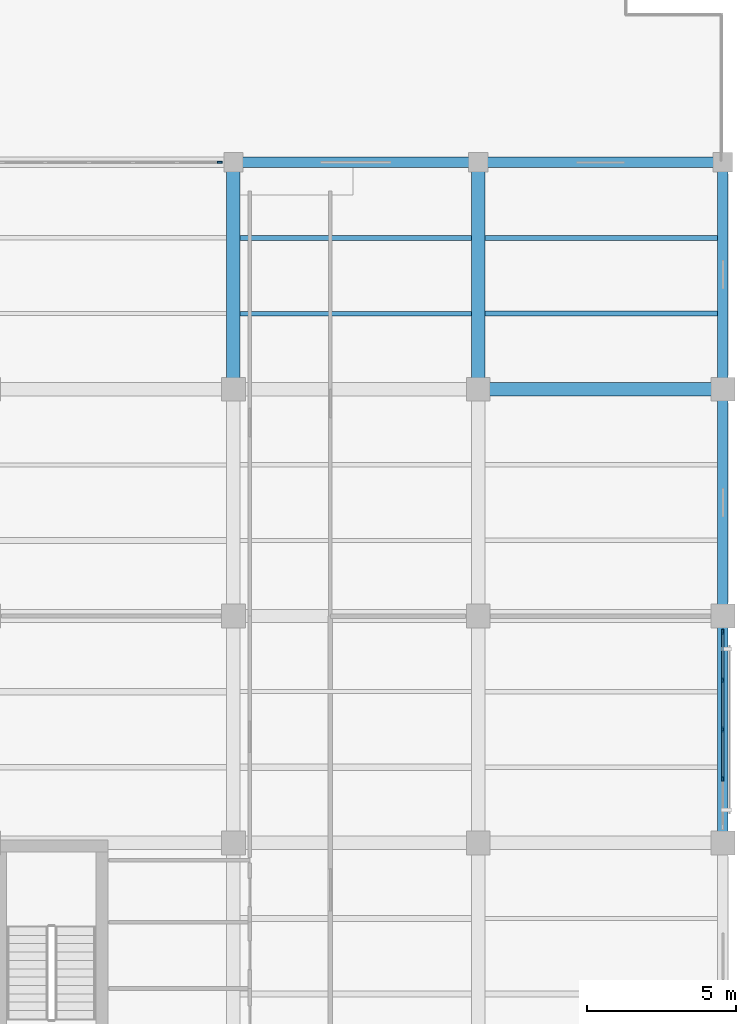
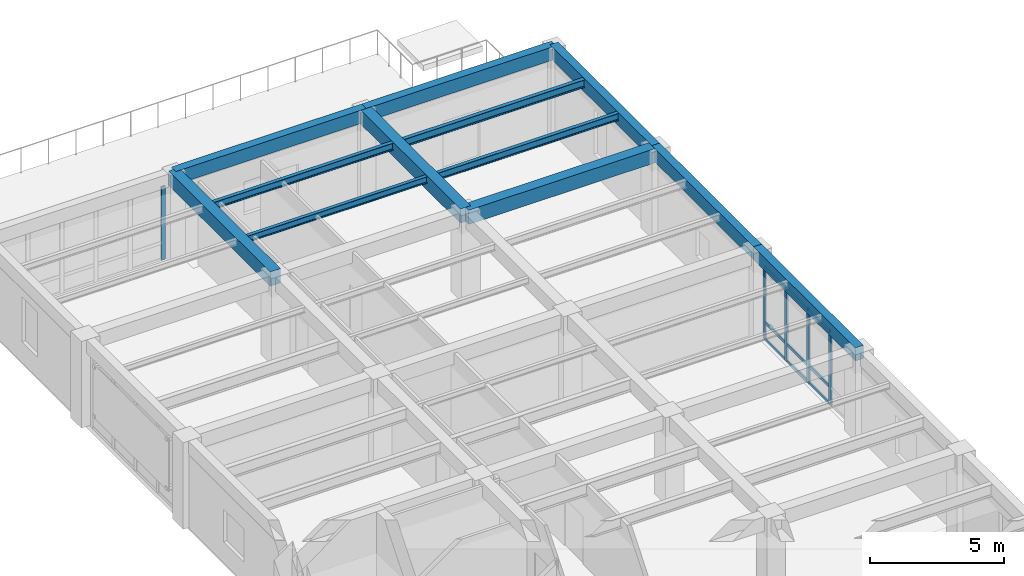
# One storey, part 5 of 14: 14 members, 12 beams, 2 elements without a shape of their own.
"""IFC4 building model written with IfcOpenShell, lengths in metres."""

from ifc_helpers import new_model, si_unit, direction, frame, origin, origin_2d, place, context, subcontext, project, spatial, rectangle, i_section, extrude, material, material_profile, profile_set, type_object, element, aggregate, save


model = new_model("IFC4")

# Units and contexts
model_context = context("Model", 3, precision=1e-05, world=origin(), true_north=direction((0.0, 1.0)))
body_context = subcontext(model_context, "Body", "Model", "MODEL_VIEW")
ifc_project = project(units=[si_unit("LENGTHUNIT", "METRE"), si_unit("AREAUNIT", "SQUARE_METRE"), si_unit("VOLUMEUNIT", "CUBIC_METRE"), si_unit("PLANEANGLEUNIT", "RADIAN"), si_unit("MASSUNIT", "GRAM", prefix="KILO")], contexts=[model_context])

# Site, building, storey
site_placement = place(None, origin())
site = spatial("IfcSite", under=ifc_project, at=site_placement, CompositionType="ELEMENT")
building_placement = place(site_placement, origin())
building = spatial("IfcBuilding", under=site, at=building_placement, Name="Qandaris Square Conservatory and Botanical Centre", CompositionType="ELEMENT")
storey_placement = place(building_placement, frame((0.0, 0.0, 36.60009765625)))
storey = spatial("IfcBuildingStorey", under=building, at=storey_placement, Name="L08", CompositionType="ELEMENT", Elevation=36.60009765625)

# Beams
ifc_material_1 = material(Name="Steel S355", Category="steel")
ifc_material_profile_1 = material_profile(ifc_material_1, i_section(OverallWidth=0.14990234375, OverallDepth=0.300048828125, WebThickness=0.007080078125, FlangeThickness=0.0107421875, FilletRadius=0.014892578125, at=origin_2d()), Name="IPE 300")
ifc_profile_set_1 = profile_set([ifc_material_profile_1], Name="Steel S355")
beam_type_1 = type_object("IfcBeamType", Name="Composite Lab Joist IPE 300", PredefinedType="JOIST", material=ifc_profile_set_1)
beam_1_placement = place(storey_placement, frame((147.625, 64.7333984375, 3.789794921875), z_axis=(1.0, 0.0, 0.0), x_axis=(0.0, 1.0, 0.0)))
element("IfcBeam", 1, at=beam_1_placement, inside=storey, type_object=beam_type_1, Name="L08 Composite Joist 2305", PredefinedType="JOIST", context=body_context, shape_type="SweptSolid", body=[
    extrude(i_section(OverallWidth=0.14990234375, OverallDepth=0.300048828125, WebThickness=0.007080078125, FlangeThickness=0.0107421875, FilletRadius=0.014892578125, at=origin_2d()), origin(), (0.0, 0.0, 1.0), 7.75),
])
ifc_material_profile_2 = material_profile(ifc_material_1, i_section(OverallWidth=0.159912109375, OverallDepth=0.330078125, WebThickness=0.007568359375, FlangeThickness=0.011474609375, FilletRadius=0.01806640625, at=origin_2d()), Name="IPE 330")
ifc_profile_set_2 = profile_set([ifc_material_profile_2], Name="Steel S355")
beam_type_2 = type_object("IfcBeamType", Name="Composite Lab Joist IPE 330", PredefinedType="JOIST", material=ifc_profile_set_2)
beam_2_placement = place(storey_placement, frame((147.625, 67.2666015625, 3.77490234375), z_axis=(1.0, 0.0, 0.0), x_axis=(0.0, 1.0, 0.0)))
element("IfcBeam", 2, at=beam_2_placement, inside=storey, type_object=beam_type_2, Name="L08 Composite Joist 2306", PredefinedType="JOIST", context=body_context, shape_type="SweptSolid", body=[
    extrude(i_section(OverallWidth=0.159912109375, OverallDepth=0.330078125, WebThickness=0.007568359375, FlangeThickness=0.011474609375, FilletRadius=0.01806640625, at=origin_2d()), origin(), (0.0, 0.0, 1.0), 7.75),
])
beam_3_placement = place(storey_placement, frame((155.824951171875, 64.7333984375, 3.77490234375), z_axis=(1.0, 0.0, 0.0), x_axis=(0.0, 1.0, 0.0)))
element("IfcBeam", 3, at=beam_3_placement, inside=storey, type_object=beam_type_2, Name="L08 Composite Joist 2319", PredefinedType="JOIST", context=body_context, shape_type="SweptSolid", body=[
    extrude(i_section(OverallWidth=0.159912109375, OverallDepth=0.330078125, WebThickness=0.007568359375, FlangeThickness=0.011474609375, FilletRadius=0.01806640625, at=origin_2d()), origin(), (0.0, 0.0, 1.0), 7.800048828125),
])
ifc_material_profile_3 = material_profile(ifc_material_1, i_section(OverallWidth=0.169921875, OverallDepth=0.360107421875, WebThickness=0.008056640625, FlangeThickness=0.0126953125, FilletRadius=0.01806640625, at=origin_2d()), Name="IPE 360")
ifc_profile_set_3 = profile_set([ifc_material_profile_3], Name="Steel S355")
beam_type_3 = type_object("IfcBeamType", Name="Composite Lab Joist IPE 360", PredefinedType="JOIST", material=ifc_profile_set_3)
beam_4_placement = place(storey_placement, frame((155.824951171875, 67.2666015625, 3.760009765625), z_axis=(1.0, 0.0, 0.0), x_axis=(0.0, 1.0, 0.0)))
element("IfcBeam", 4, at=beam_4_placement, inside=storey, type_object=beam_type_3, Name="L08 Composite Joist 2320", PredefinedType="JOIST", context=body_context, shape_type="SweptSolid", body=[
    extrude(i_section(OverallWidth=0.169921875, OverallDepth=0.360107421875, WebThickness=0.008056640625, FlangeThickness=0.0126953125, FilletRadius=0.01806640625, at=origin_2d()), origin(), (0.0, 0.0, 1.0), 7.800048828125),
])

# Curtain wall, members
ifc_material_2 = material(Name="Anodised Aluminium", Category="aluminium")
curtain_wall_type_1 = type_object("IfcCurtainWallType", Name="Unitised Curtain Wall CW-4-660x335", PredefinedType="USERDEFINED", material=ifc_material_2)
curtain_wall_1_placement = place(storey_placement, origin())
curtain_wall_1 = element("IfcCurtainWall", 5, at=curtain_wall_1_placement, inside=storey, type_object=curtain_wall_type_1, Name="Curtain Wall CW-TWR-L08-2-5", ObjectType="GLAZED CURTAIN WALL", PredefinedType="USERDEFINED")
ifc_material_profile_4 = material_profile(ifc_material_2, rectangle(XDim=0.06494140625, YDim=0.179931640625, at=origin_2d()), Name="ALU-MUL 65x180")
ifc_profile_set_4 = profile_set([ifc_material_profile_4], Name="Anodised Aluminium")
member_type_1 = type_object("IfcMemberType", Name="Curtain Wall Mullion 65x180", PredefinedType="MULLION", material=ifc_profile_set_4)
member_1_placement = place(storey_placement, frame((163.800048828125, 49.14990234375, 0.0), z_axis=(0.0, 0.0, 1.0), x_axis=(-1.0, 0.0, 0.0)))
member_1 = element("IfcMember", 6, at=member_1_placement, type_object=member_type_1, Name="CW-4-660x335 mullion 2", PredefinedType="MULLION", context=body_context, shape_type="SweptSolid", body=[
    extrude(rectangle(XDim=0.06494140625, YDim=0.179931640625, at=origin_2d()), origin(), (0.0, 0.0, 1.0), 3.349853515625),
])
member_2_placement = place(storey_placement, frame((163.800048828125, 50.800048828125, 0.0), z_axis=(0.0, 0.0, 1.0), x_axis=(-1.0, 0.0, 0.0)))
member_2 = element("IfcMember", 7, at=member_2_placement, type_object=member_type_1, Name="CW-4-660x335 mullion 3", PredefinedType="MULLION", context=body_context, shape_type="SweptSolid", body=[
    extrude(rectangle(XDim=0.06494140625, YDim=0.179931640625, at=origin_2d()), origin(), (0.0, 0.0, 1.0), 3.349853515625),
])
member_3_placement = place(storey_placement, frame((163.800048828125, 52.449951171875, 0.0), z_axis=(0.0, 0.0, 1.0), x_axis=(-1.0, 0.0, 0.0)))
member_3 = element("IfcMember", 8, at=member_3_placement, type_object=member_type_1, Name="CW-4-660x335 mullion 4", PredefinedType="MULLION", context=body_context, shape_type="SweptSolid", body=[
    extrude(rectangle(XDim=0.06494140625, YDim=0.179931640625, at=origin_2d()), origin(), (0.0, 0.0, 1.0), 3.349853515625),
])
member_4_placement = place(storey_placement, frame((163.800048828125, 54.0673828125, 0.0), z_axis=(0.0, 0.0, 1.0), x_axis=(-1.0, 0.0, 0.0)))
member_4 = element("IfcMember", 9, at=member_4_placement, type_object=member_type_1, Name="CW-4-660x335 mullion 5", PredefinedType="MULLION", context=body_context, shape_type="SweptSolid", body=[
    extrude(rectangle(XDim=0.06494140625, YDim=0.179931640625, at=origin_2d()), origin(), (0.0, 0.0, 1.0), 3.349853515625),
])

# Curtain wall, member
curtain_wall_type_2 = type_object("IfcCurtainWallType", Name="Unitised Curtain Wall CW-3-735x335", PredefinedType="USERDEFINED", material=ifc_material_2)
curtain_wall_2_placement = place(storey_placement, origin())
curtain_wall_2 = element("IfcCurtainWall", 10, at=curtain_wall_2_placement, inside=storey, type_object=curtain_wall_type_2, Name="Curtain Wall CW-TWR-L08-3-3", ObjectType="GLAZED CURTAIN WALL", PredefinedType="USERDEFINED")
member_5_placement = place(storey_placement, frame((146.9423828125, 69.800048828125, 0.0), z_axis=(0.0, 0.0, 1.0), x_axis=(0.0, -1.0, 0.0)))
member_5 = element("IfcMember", 11, at=member_5_placement, type_object=member_type_1, Name="CW-3-735x335 mullion 1", PredefinedType="MULLION", context=body_context, shape_type="SweptSolid", body=[
    extrude(rectangle(XDim=0.06494140625, YDim=0.179931640625, at=origin_2d()), origin(), (0.0, 0.0, 1.0), 3.349853515625),
])
aggregate(curtain_wall_2, [member_5])

# Member
ifc_material_profile_5 = material_profile(ifc_material_2, rectangle(XDim=0.06494140625, YDim=0.139892578125, at=origin_2d()), Name="ALU-TRN 65x140")
ifc_profile_set_5 = profile_set([ifc_material_profile_5], Name="Anodised Aluminium")
member_type_2 = type_object("IfcMemberType", Name="Curtain Wall Transom 65x140", PredefinedType="USERDEFINED", material=ifc_profile_set_5)
member_6_placement = place(storey_placement, frame((163.800048828125, 49.1826171875, 0.032470703125), z_axis=(0.0, 1.0, 0.0), x_axis=(-1.0, 0.0, 0.0)))
member_6 = element("IfcMember", 12, at=member_6_placement, type_object=member_type_2, Name="CW-4-660x335 transom 2.1", ObjectType="TRANSOM", PredefinedType="USERDEFINED", context=body_context, shape_type="SweptSolid", body=[
    extrude(rectangle(XDim=0.06494140625, YDim=0.139892578125, at=origin_2d()), origin(), (0.0, 0.0, 1.0), 1.5849609375),
])

member_7_placement = place(storey_placement, frame((163.800048828125, 49.1826171875, 0.803955078125), z_axis=(0.0, 1.0, 0.0), x_axis=(-1.0, 0.0, 0.0)))
member_7 = element("IfcMember", 13, at=member_7_placement, type_object=member_type_2, Name="CW-4-660x335 transom 2.2", ObjectType="TRANSOM", PredefinedType="USERDEFINED", context=body_context, shape_type="SweptSolid", body=[
    extrude(rectangle(XDim=0.06494140625, YDim=0.139892578125, at=origin_2d()), origin(), (0.0, 0.0, 1.0), 1.5849609375),
])

member_8_placement = place(storey_placement, frame((163.800048828125, 49.1826171875, 3.3173828125), z_axis=(0.0, 1.0, 0.0), x_axis=(-1.0, 0.0, 0.0)))
member_8 = element("IfcMember", 14, at=member_8_placement, type_object=member_type_2, Name="CW-4-660x335 transom 2.3", ObjectType="TRANSOM", PredefinedType="USERDEFINED", context=body_context, shape_type="SweptSolid", body=[
    extrude(rectangle(XDim=0.06494140625, YDim=0.139892578125, at=origin_2d()), origin(), (0.0, 0.0, 1.0), 1.5849609375),
])

member_9_placement = place(storey_placement, frame((163.800048828125, 50.83251953125, 0.032470703125), z_axis=(0.0, 1.0, 0.0), x_axis=(-1.0, 0.0, 0.0)))
member_9 = element("IfcMember", 15, at=member_9_placement, type_object=member_type_2, Name="CW-4-660x335 transom 3.1", ObjectType="TRANSOM", PredefinedType="USERDEFINED", context=body_context, shape_type="SweptSolid", body=[
    extrude(rectangle(XDim=0.06494140625, YDim=0.139892578125, at=origin_2d()), origin(), (0.0, 0.0, 1.0), 1.5849609375),
])

member_10_placement = place(storey_placement, frame((163.800048828125, 50.83251953125, 0.803955078125), z_axis=(0.0, 1.0, 0.0), x_axis=(-1.0, 0.0, 0.0)))
member_10 = element("IfcMember", 16, at=member_10_placement, type_object=member_type_2, Name="CW-4-660x335 transom 3.2", ObjectType="TRANSOM", PredefinedType="USERDEFINED", context=body_context, shape_type="SweptSolid", body=[
    extrude(rectangle(XDim=0.06494140625, YDim=0.139892578125, at=origin_2d()), origin(), (0.0, 0.0, 1.0), 1.5849609375),
])

member_11_placement = place(storey_placement, frame((163.800048828125, 50.83251953125, 3.3173828125), z_axis=(0.0, 1.0, 0.0), x_axis=(-1.0, 0.0, 0.0)))
member_11 = element("IfcMember", 17, at=member_11_placement, type_object=member_type_2, Name="CW-4-660x335 transom 3.3", ObjectType="TRANSOM", PredefinedType="USERDEFINED", context=body_context, shape_type="SweptSolid", body=[
    extrude(rectangle(XDim=0.06494140625, YDim=0.139892578125, at=origin_2d()), origin(), (0.0, 0.0, 1.0), 1.5849609375),
])

member_12_placement = place(storey_placement, frame((163.800048828125, 52.482421875, 0.032470703125), z_axis=(0.0, 1.0, 0.0), x_axis=(-1.0, 0.0, 0.0)))
member_12 = element("IfcMember", 18, at=member_12_placement, type_object=member_type_2, Name="CW-4-660x335 transom 4.1", ObjectType="TRANSOM", PredefinedType="USERDEFINED", context=body_context, shape_type="SweptSolid", body=[
    extrude(rectangle(XDim=0.06494140625, YDim=0.139892578125, at=origin_2d()), origin(), (0.0, 0.0, 1.0), 1.552490234375),
])

member_13_placement = place(storey_placement, frame((163.800048828125, 52.482421875, 0.803955078125), z_axis=(0.0, 1.0, 0.0), x_axis=(-1.0, 0.0, 0.0)))
member_13 = element("IfcMember", 19, at=member_13_placement, type_object=member_type_2, Name="CW-4-660x335 transom 4.2", ObjectType="TRANSOM", PredefinedType="USERDEFINED", context=body_context, shape_type="SweptSolid", body=[
    extrude(rectangle(XDim=0.06494140625, YDim=0.139892578125, at=origin_2d()), origin(), (0.0, 0.0, 1.0), 1.552490234375),
])

member_14_placement = place(storey_placement, frame((163.800048828125, 52.482421875, 3.3173828125), z_axis=(0.0, 1.0, 0.0), x_axis=(-1.0, 0.0, 0.0)))
member_14 = element("IfcMember", 20, at=member_14_placement, type_object=member_type_2, Name="CW-4-660x335 transom 4.3", ObjectType="TRANSOM", PredefinedType="USERDEFINED", context=body_context, shape_type="SweptSolid", body=[
    extrude(rectangle(XDim=0.06494140625, YDim=0.139892578125, at=origin_2d()), origin(), (0.0, 0.0, 1.0), 1.552490234375),
])

aggregate(curtain_wall_1, [member_1, member_2, member_3, member_4, member_6, member_7, member_8, member_9, member_10, member_11, member_12, member_13, member_14])

# Beams
ifc_material_3 = material(Name="Concrete C50/60", Category="concrete")
ifc_material_profile_6 = material_profile(ifc_material_3, rectangle(XDim=0.35009765625, YDim=0.60009765625, at=origin_2d()), Name="RC-SP 350x600")
ifc_profile_set_6 = profile_set([ifc_material_profile_6], Name="Concrete C50/60")
beam_type_4 = type_object("IfcBeamType", Name="RC Edge Spandrel Beam 350x600", PredefinedType="SPANDREL", material=ifc_profile_set_6)
beam_5_placement = place(storey_placement, frame((147.39990234375, 69.800048828125, 3.64990234375), z_axis=(1.0, 0.0, 0.0), x_axis=(0.0, 1.0, 0.0)))
element("IfcBeam", 21, at=beam_5_placement, inside=storey, type_object=beam_type_4, Name="L08 Frame Beam 2239", PredefinedType="SPANDREL", context=body_context, shape_type="SweptSolid", body=[
    extrude(rectangle(XDim=0.35009765625, YDim=0.60009765625, at=origin_2d()), origin(), (0.0, 0.0, 1.0), 8.2001953125),
])
beam_6_placement = place(storey_placement, frame((155.60009765625, 69.800048828125, 3.64990234375), z_axis=(1.0, 0.0, 0.0), x_axis=(0.0, 1.0, 0.0)))
element("IfcBeam", 22, at=beam_6_placement, inside=storey, type_object=beam_type_4, Name="L08 Frame Beam 2240", PredefinedType="SPANDREL", context=body_context, shape_type="SweptSolid", body=[
    extrude(rectangle(XDim=0.35009765625, YDim=0.60009765625, at=origin_2d()), origin(), (0.0, 0.0, 1.0), 8.199951171875),
])
beam_7_placement = place(storey_placement, frame((163.800048828125, 47.0, 3.64990234375), z_axis=(0.0, 1.0, 0.0), x_axis=(-1.0, 0.0, 0.0)))
element("IfcBeam", 23, at=beam_7_placement, inside=storey, type_object=beam_type_4, Name="L08 Frame Beam 2272", PredefinedType="SPANDREL", context=body_context, shape_type="SweptSolid", body=[
    extrude(rectangle(XDim=0.35009765625, YDim=0.60009765625, at=origin_2d()), origin(), (0.0, 0.0, 1.0), 7.60009765625),
])
beam_8_placement = place(storey_placement, frame((163.800048828125, 54.60009765625, 3.64990234375), z_axis=(0.0, 1.0, 0.0), x_axis=(-1.0, 0.0, 0.0)))
element("IfcBeam", 24, at=beam_8_placement, inside=storey, type_object=beam_type_4, Name="L08 Frame Beam 2273", PredefinedType="SPANDREL", context=body_context, shape_type="SweptSolid", body=[
    extrude(rectangle(XDim=0.35009765625, YDim=0.60009765625, at=origin_2d()), origin(), (0.0, 0.0, 1.0), 7.599853515625),
])
beam_9_placement = place(storey_placement, frame((163.800048828125, 62.199951171875, 3.64990234375), z_axis=(0.0, 1.0, 0.0), x_axis=(-1.0, 0.0, 0.0)))
element("IfcBeam", 25, at=beam_9_placement, inside=storey, type_object=beam_type_4, Name="L08 Frame Beam 2274", PredefinedType="SPANDREL", context=body_context, shape_type="SweptSolid", body=[
    extrude(rectangle(XDim=0.35009765625, YDim=0.60009765625, at=origin_2d()), origin(), (0.0, 0.0, 1.0), 7.60009765625),
])
ifc_material_profile_7 = material_profile(ifc_material_3, rectangle(XDim=0.449951171875, YDim=0.64990234375, at=origin_2d()), Name="RC-BM 450x650")
ifc_profile_set_7 = profile_set([ifc_material_profile_7], Name="Concrete C50/60")
beam_type_5 = type_object("IfcBeamType", Name="RC Floor Girder 450x650", PredefinedType="BEAM", material=ifc_profile_set_7)
beam_10_placement = place(storey_placement, frame((155.60009765625, 62.199951171875, 3.625), z_axis=(1.0, 0.0, 0.0), x_axis=(0.0, 1.0, 0.0)))
element("IfcBeam", 26, at=beam_10_placement, inside=storey, type_object=beam_type_5, Name="L08 Frame Beam 2237", PredefinedType="BEAM", context=body_context, shape_type="SweptSolid", body=[
    extrude(rectangle(XDim=0.449951171875, YDim=0.64990234375, at=origin_2d()), origin(), (0.0, 0.0, 1.0), 8.199951171875),
])
for number, where, z_axis, x_axis, name in (
    (27, (147.39990234375, 62.199951171875, 3.625), (0.0, 1.0, 0.0), (-1.0, 0.0, 0.0), "L08 Frame Beam 2260"),
    (28, (155.60009765625, 62.199951171875, 3.625), (0.0, 1.0, 0.0), (-1.0, 0.0, 0.0), "L08 Frame Beam 2267"),
):
    element("IfcBeam", number, at=place(storey_placement, frame(where, z_axis=z_axis, x_axis=x_axis)), inside=storey, type_object=beam_type_5, Name=name, PredefinedType="BEAM", context=body_context, shape_type="SweptSolid", body=[
        extrude(rectangle(XDim=0.449951171875, YDim=0.64990234375, at=origin_2d()), origin(), (0.0, 0.0, 1.0), 7.60009765625),
    ])

save(model, "model.ifc")
